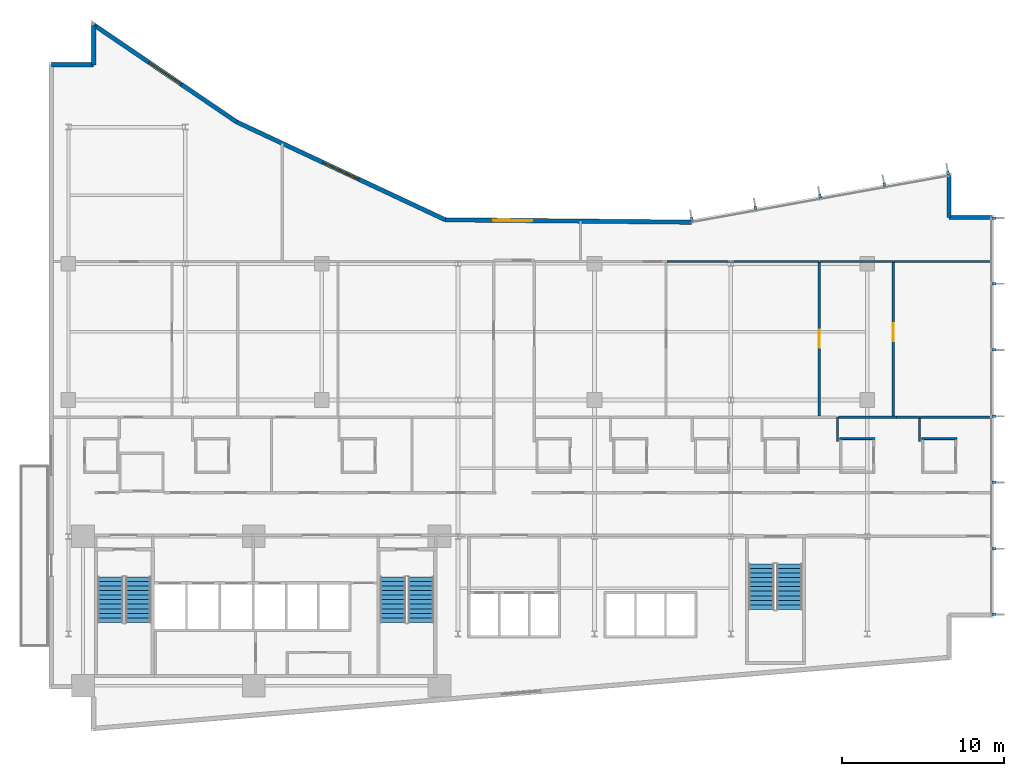
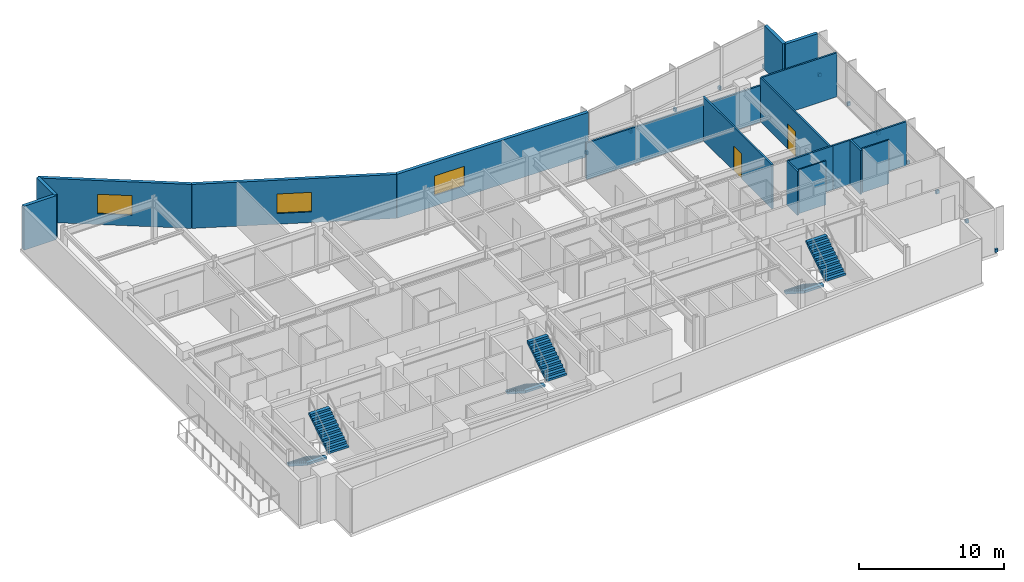
# One storey, part 16 of 20: 19 walls, 12 discrete accessories, 6 stair flights, 3 windows, 2 doors, 5 openings, 3 elements without a shape of their own.
"""IFC4 building model written with IfcOpenShell, lengths in metres."""

import ifcopenshell
import ifcopenshell.guid

model = None  # the IFC model being written
_history = None  # IfcOwnerHistory: only IFC2X3 demands one
_inside = {}  # id of a spatial element -> (the spatial element, [elements in it])
_under = {}  # id of a project, library or spatial element -> (it, [spatial elements below it])
_declared = {}  # id of a project -> (the project, [libraries it declares])
_typed = {}  # id of a type object -> (the type object, [elements of that type])
_made_of = {}  # id of a material, layer set ... -> (it, [elements and type objects made of it])


def new_model(schema):
    """Start an empty IFC model of exactly this schema.

    Asked for "IFC4X3", IfcOpenShell would pick the latest addendum, in which some entities
    have other attributes; the version numbers below select the first issue.
    IFC2X3 requires an IfcOwnerHistory on every rooted entity: one is made here for all.
    """
    global model, _history
    if schema == "IFC4X3":
        model = ifcopenshell.file(schema_version=(4, 3, 0, 0))
    else:
        model = ifcopenshell.file(schema=schema)
    _inside.clear()
    _under.clear()
    _declared.clear()
    _typed.clear()
    _made_of.clear()
    _history = None
    if model.schema == "IFC2X3":
        org = make("IfcOrganization", Name="unknown")
        user = make(
            "IfcPersonAndOrganization",
            ThePerson=make("IfcPerson", FamilyName="unknown"),
            TheOrganization=org,
        )
        app = make(
            "IfcApplication",
            ApplicationDeveloper=org,
            Version="unknown",
            ApplicationFullName="unknown",
            ApplicationIdentifier="unknown",
        )
        _history = make(
            "IfcOwnerHistory",
            OwningUser=user,
            OwningApplication=app,
            ChangeAction="ADDED",
            CreationDate=0,
        )
    return model


def make(cls, **values):
    """One entity of the class cls with the attributes given. An attribute that is None is left unset."""
    return model.create_entity(
        cls, **{name: value for name, value in values.items() if value is not None}
    )


def rooted(cls, **values):
    """An entity with a GlobalId (a new one), such as an element, a storey or a relation."""
    return make(cls, GlobalId=ifcopenshell.guid.new(), OwnerHistory=_history, **values)


def si_unit(unit_type, name, prefix=None):
    """IfcSIUnit, for example si_unit("LENGTHUNIT", "METRE", prefix="MILLI")."""
    return make("IfcSIUnit", UnitType=unit_type, Prefix=prefix, Name=name)


def assignment(units):
    """IfcUnitAssignment: the units of a project."""
    return None if units is None else make("IfcUnitAssignment", Units=units)


def point(xyz):
    """IfcCartesianPoint."""
    return None if xyz is None else make("IfcCartesianPoint", Coordinates=xyz)


def direction(xyz):
    """IfcDirection."""
    return None if xyz is None else make("IfcDirection", DirectionRatios=xyz)


def frame(location, z_axis=None, x_axis=None):
    """IfcAxis2Placement3D, a coordinate frame: its origin and axes. An axis left out is left unset."""
    return make(
        "IfcAxis2Placement3D",
        Location=point(location),
        Axis=direction(z_axis),
        RefDirection=direction(x_axis),
    )


def frame_2d(location, x_axis=None):
    """IfcAxis2Placement2D, a coordinate frame in the plane: its origin and x axis."""
    return make(
        "IfcAxis2Placement2D", Location=point(location), RefDirection=direction(x_axis)
    )


def origin():
    """The frame at (0, 0, 0) with its axes left unset."""
    return frame((0.0, 0.0, 0.0))


def origin_2d():
    """The frame at (0, 0) in the plane with its x axis left unset."""
    return frame_2d((0.0, 0.0))


def place(relative_to, where):
    """IfcLocalPlacement: puts the frame where relative to a parent placement (None: the world)."""
    return make(
        "IfcLocalPlacement", PlacementRelTo=relative_to, RelativePlacement=where
    )


def context(
    kind, dimensions, precision=None, world=None, true_north=None, identifier=None
):
    """IfcGeometricRepresentationContext, for example the 3D "Model" context."""
    return make(
        "IfcGeometricRepresentationContext",
        ContextIdentifier=identifier,
        ContextType=kind,
        CoordinateSpaceDimension=dimensions,
        Precision=precision,
        WorldCoordinateSystem=world,
        TrueNorth=true_north,
    )


def subcontext(parent, identifier, kind, view, scale=None):
    """IfcGeometricRepresentationSubContext, for example "Body" below "Model"."""
    return make(
        "IfcGeometricRepresentationSubContext",
        ContextIdentifier=identifier,
        ContextType=kind,
        ParentContext=parent,
        TargetScale=scale,
        TargetView=view,
    )


def project(units=None, contexts=None):
    """IfcProject with its units and contexts."""
    return rooted(
        "IfcProject",
        Name="project",
        RepresentationContexts=contexts,
        UnitsInContext=assignment(units),
    )


def spatial(cls, under=None, at=None, **own):
    """A site, building, storey or space (cls), placed at a placement, below another one or the project."""
    s = rooted(cls, ObjectPlacement=at, **own)
    if under is not None:
        _under.setdefault(under.id(), (under, []))[1].append(s)
    return s


def polyline(points):
    """IfcPolyline through the points."""
    return make("IfcPolyline", Points=[point(p) for p in points])


def profile(cls, at=None, kind="AREA", **sizes):
    """A parametric profile (cls). Its sizes go by their IFC names, for example OverallWidth=200.0."""
    return make(cls, ProfileType=kind, Position=at, **sizes)


def rectangle(**sizes):
    """IfcRectangleProfileDef."""
    return profile("IfcRectangleProfileDef", **sizes)


def outline(outer, holes=None, kind="AREA"):
    """IfcArbitraryClosedProfileDef: a profile drawn as a closed curve; with holes, ...WithVoids."""
    if holes is None:
        return make("IfcArbitraryClosedProfileDef", ProfileType=kind, OuterCurve=outer)
    return make(
        "IfcArbitraryProfileDefWithVoids",
        ProfileType=kind,
        OuterCurve=outer,
        InnerCurves=holes,
    )


def extrude(swept, where, along, depth):
    """IfcExtrudedAreaSolid: the profile swept, set in the frame where, extruded along a direction by depth."""
    return make(
        "IfcExtrudedAreaSolid",
        SweptArea=swept,
        Position=where,
        ExtrudedDirection=direction(along),
        Depth=depth,
    )


def shape(context_of_items, identifier, shape_type, items):
    """IfcShapeRepresentation: the items that make up one representation, for example the "Body"."""
    return make(
        "IfcShapeRepresentation",
        ContextOfItems=context_of_items,
        RepresentationIdentifier=identifier,
        RepresentationType=shape_type,
        Items=items,
    )


def material(Name=None, Category=None):
    """IfcMaterial."""
    return make("IfcMaterial", Name=Name, Category=Category)


def layer(
    of_material, thickness, ventilated=None, Name=None, Category=None, Priority=None
):
    """IfcMaterialLayer: one layer of a wall or slab, of a material (None: an air gap)."""
    return make(
        "IfcMaterialLayer",
        Material=of_material,
        LayerThickness=thickness,
        IsVentilated=ventilated,
        Name=Name,
        Category=Category,
        Priority=Priority,
    )


def layer_set(layers, Name=None):
    """IfcMaterialLayerSet."""
    return make("IfcMaterialLayerSet", MaterialLayers=layers, LayerSetName=Name)


def made_of(thing, what):
    """Note that an element or type object is made of a material, layer set ...; save() writes the relation."""
    if what is not None:
        _made_of.setdefault(what.id(), (what, []))[1].append(thing)
    return thing


def type_object(cls, material=None, **own):
    """A type object (cls), such as IfcWallType, which elements share."""
    return made_of(rooted(cls, **own), material)


def element(
    cls,
    number,
    at=None,
    inside=None,
    cuts=None,
    type_object=None,
    material=None,
    context=None,
    identifier="Body",
    shape_type=None,
    held_by="IfcProductDefinitionShape",
    body=None,
    shapes=None,
    **own,
):
    """One element of the class cls, such as IfcWall. Its Tag is "e" and its number.

    at: its placement. inside: the storey or other place that contains it. cuts: it is an
    opening in that element (IfcRelVoidsElement). A single representation is given by context,
    identifier, shape_type and body (its items); several are given by shapes. held_by: the class
    of the entity that holds the representations. save() writes the other relations.
    """
    e = rooted(cls, Tag="e%d" % number, ObjectPlacement=at, **own)
    if body is not None:
        shapes = [shape(context, identifier, shape_type, body)]
    if shapes is not None:
        e.Representation = make(held_by, Representations=shapes)
    if inside is not None:
        _inside.setdefault(inside.id(), (inside, []))[1].append(e)
    if cuts is not None:
        rooted(
            "IfcRelVoidsElement", RelatingBuildingElement=cuts, RelatedOpeningElement=e
        )
    if type_object is not None:
        _typed.setdefault(type_object.id(), (type_object, []))[1].append(e)
    return made_of(e, material)


def fill(opening, filler):
    """IfcRelFillsElement: the door or window that sits in an opening."""
    return rooted(
        "IfcRelFillsElement",
        RelatingOpeningElement=opening,
        RelatedBuildingElement=filler,
    )


def aggregate(whole, parts):
    """IfcRelAggregates: a whole, such as a stair, and the parts it consists of."""
    return rooted("IfcRelAggregates", RelatingObject=whole, RelatedObjects=parts)


def save(model, path):
    """Write the relations noted so far, then the file.

    IfcRelAggregates (storeys below a building ...), IfcRelContainedInSpatialStructure (elements
    in a storey), IfcRelDefinesByType, IfcRelAssociatesMaterial and IfcRelDeclares: one each for
    every whole, place, type object, material and project.
    """
    for whole, parts in _under.values():
        aggregate(whole, parts)
    for where, things in _inside.values():
        rooted(
            "IfcRelContainedInSpatialStructure",
            RelatedElements=things,
            RelatingStructure=where,
        )
    for kind, things in _typed.values():
        rooted("IfcRelDefinesByType", RelatedObjects=things, RelatingType=kind)
    for what, things in _made_of.values():
        rooted("IfcRelAssociatesMaterial", RelatedObjects=things, RelatingMaterial=what)
    for by, libraries in _declared.values():
        rooted("IfcRelDeclares", RelatingContext=by, RelatedDefinitions=libraries)
    model.write(path)


model = new_model("IFC4")

# Units and contexts
model_context = context("Model", 3, precision=1e-05, world=origin(), true_north=direction((0.0, 1.0)))
body_context = subcontext(model_context, "Body", "Model", "MODEL_VIEW")
ifc_project = project(units=[si_unit("LENGTHUNIT", "METRE"), si_unit("AREAUNIT", "SQUARE_METRE"), si_unit("VOLUMEUNIT", "CUBIC_METRE"), si_unit("PLANEANGLEUNIT", "RADIAN"), si_unit("MASSUNIT", "GRAM", prefix="KILO")], contexts=[model_context])

# Site, building, storey
site_placement = place(None, origin())
site = spatial("IfcSite", under=ifc_project, at=site_placement, CompositionType="ELEMENT")
building_placement = place(site_placement, origin())
building = spatial("IfcBuilding", under=site, at=building_placement, Name="Varnakote Quay Hospital", CompositionType="ELEMENT")
storey_placement = place(building_placement, frame((0.0, 0.0, 58.050048828125)))
storey = spatial("IfcBuildingStorey", under=building, at=storey_placement, Name="L14", CompositionType="ELEMENT", Elevation=58.050048828125)

# Walls
ifc_material_1 = material(Name="Moisture-resistant bathroom partition", Category="gypsum")
ifc_layer_1 = layer(ifc_material_1, 0.114990234375)
ifc_layer_set_1 = layer_set([ifc_layer_1], Name="Moisture-resistant bathroom partition")
wall_type_1 = type_object("IfcWallType", Name="WL-ENS-115", PredefinedType="PARTITIONING", material=ifc_layer_set_1)
wall_1_placement = place(storey_placement, frame((48.715087890625, 18.017578125, 0.0), z_axis=(0.0, 0.0, 1.0), x_axis=(1.0, 0.0, 0.0)))
element("IfcWall", 1, at=wall_1_placement, inside=storey, type_object=wall_type_1, Name="L14 Inpatient En-Suite Bathroom 08 N Wall", PredefinedType="PARTITIONING", context=body_context, shape_type="SweptSolid", body=[
    extrude(rectangle(XDim=2.14990234375, YDim=0.114990234375, at=frame_2d((1.074951171875, 0.0))), origin(), (0.0, 0.0, 1.0), 3.7099609375),
])
wall_2_placement = place(storey_placement, frame((53.7548828125, 18.017578125, 0.0), z_axis=(0.0, 0.0, 1.0), x_axis=(1.0, 0.0, 0.0)))
element("IfcWall", 2, at=wall_2_placement, inside=storey, type_object=wall_type_1, Name="L14 Inpatient En-Suite Bathroom 09 N Wall", PredefinedType="PARTITIONING", context=body_context, shape_type="SweptSolid", body=[
    extrude(rectangle(XDim=2.150146484375, YDim=0.114990234375, at=frame_2d((1.0751953125, 0.0))), origin(), (0.0, 0.0, 1.0), 3.7099609375),
])
ifc_material_2 = material(Name="Precast concrete N50 (f'c 50 MPa)", Category="concrete")
ifc_layer_2 = layer(ifc_material_2, 0.260009765625)
ifc_layer_set_2 = layer_set([ifc_layer_2], Name="Precast concrete N50 (f'c 50 MPa)")
wall_type_2 = type_object("IfcWallType", Name="WL-EXT-BRICK-260", PredefinedType="STANDARD", material=ifc_layer_set_2)
wall_3_placement = place(storey_placement, frame((58.0400390625, 31.639892578125, 0.0), z_axis=(0.0, 0.0, 1.0), x_axis=(-1.0, 0.0, 0.0)))
element("IfcWall", 3, at=wall_3_placement, inside=storey, type_object=wall_type_2, Name="L14 Brick-Faced Precast Exterior Wall", PredefinedType="STANDARD", context=body_context, shape_type="SweptSolid", body=[
    extrude(rectangle(XDim=2.60009765625, YDim=0.260009765625, at=frame_2d((1.300048828125, 0.0))), origin(), (0.0, 0.0, 1.0), 3.7099609375),
])
wall_4_placement = place(storey_placement, frame((55.43994140625, 31.639892578125, 0.0), z_axis=(0.0, 0.0, 1.0), x_axis=(0.0, 1.0, 0.0)))
element("IfcWall", 4, at=wall_4_placement, inside=storey, type_object=wall_type_2, Name="L14 Brick-Faced Precast Exterior Wall", PredefinedType="STANDARD", context=body_context, shape_type="SweptSolid", body=[
    extrude(rectangle(XDim=2.568603515625, YDim=0.260009765625, at=frame_2d((1.2841796875, 0.0))), origin(), (0.0, 0.0, 1.0), 3.7099609375),
])

# Wall, opening, window
wall_5_placement = place(storey_placement, frame((39.589599609375, 31.343994140625, 0.0), z_axis=(0.0, 0.0, 1.0), x_axis=(-0.999952362926, 0.009760731435, 0.0)))
wall_5 = element("IfcWall", 5, at=wall_5_placement, inside=storey, type_object=wall_type_2, Name="L14 Brick-Faced Precast Exterior Wall", PredefinedType="STANDARD", context=body_context, shape_type="SweptSolid", body=[
    extrude(rectangle(XDim=15.1826171875, YDim=0.260009765625, at=frame_2d((7.59130859375, 0.0))), origin(), (0.0, 0.0, 1.0), 3.7099609375),
])
opening_1_placement = place(wall_5_placement, frame((9.831298828125, 0.0, 0.89990234375)))
opening_1 = element("IfcOpeningElement", 6, at=opening_1_placement, cuts=wall_5, Name="Opening WN-0071", PredefinedType="OPENING", context=body_context, shape_type="SweptSolid", body=[
    extrude(rectangle(XDim=2.39990234375, YDim=1.64990234375, at=frame_2d((1.199951171875, 0.824951171875))), frame((0.0, 0.139892578125, 0.0), z_axis=(0.0, -1.0, 0.0), x_axis=(1.0, 0.0, 0.0)), (0.0, 0.0, 1.0), 0.280029296875),
])
ifc_material_3 = material(Name="Double-glazed low-E solar glass", Category="glass")
window_type = type_object("IfcWindowType", Name="WIN-CLIN-2400x1650", PartitioningType="SINGLE_PANEL", PredefinedType="WINDOW", material=ifc_material_3)
window_1_placement = place(opening_1_placement, origin())
window_1 = element("IfcWindow", 7, at=window_1_placement, inside=storey, type_object=window_type, Name="L14 Solar-Control Clinical Window", OverallHeight=1.64990234375, OverallWidth=2.39990234375, PartitioningType="SINGLE_PANEL", PredefinedType="WINDOW", context=body_context, shape_type="SweptSolid", body=[
    extrude(rectangle(XDim=2.39990234375, YDim=1.64990234375, at=frame_2d((1.199951171875, 0.824951171875))), frame((0.0, 0.030029296875, 0.0), z_axis=(0.0, -1.0, 0.0), x_axis=(1.0, 0.0, 0.0)), (0.0, 0.0, 1.0), 0.06005859375),
])
fill(opening_1, window_1)

wall_6_placement = place(storey_placement, frame((24.40771484375, 31.4921875, 0.0), z_axis=(0.0, 0.0, 1.0), x_axis=(-0.905396522918, 0.424566998585, 0.0)))
wall_6 = element("IfcWall", 8, at=wall_6_placement, inside=storey, type_object=wall_type_2, Name="L14 Brick-Faced Precast Exterior Wall", PredefinedType="STANDARD", context=body_context, shape_type="SweptSolid", body=[
    extrude(rectangle(XDim=14.189453125, YDim=0.260009765625, at=frame_2d((7.0947265625, 0.0))), origin(), (0.0, 0.0, 1.0), 3.7099609375),
])
opening_2_placement = place(wall_6_placement, frame((5.894775390625, 0.0, 0.89990234375)))
opening_2 = element("IfcOpeningElement", 9, at=opening_2_placement, cuts=wall_6, Name="Opening WN-0072", PredefinedType="OPENING", context=body_context, shape_type="SweptSolid", body=[
    extrude(rectangle(XDim=2.39990234375, YDim=1.64990234375, at=frame_2d((1.199951171875, 0.824951171875))), frame((0.0, 0.139892578125, 0.0), z_axis=(0.0, -1.0, 0.0), x_axis=(1.0, 0.0, 0.0)), (0.0, 0.0, 1.0), 0.280029296875),
])
window_2_placement = place(opening_2_placement, origin())
window_2 = element("IfcWindow", 10, at=window_2_placement, inside=storey, type_object=window_type, Name="L14 Solar-Control Clinical Window", OverallHeight=1.64990234375, OverallWidth=2.39990234375, PartitioningType="SINGLE_PANEL", PredefinedType="WINDOW", context=body_context, shape_type="SweptSolid", body=[
    extrude(rectangle(XDim=2.39990234375, YDim=1.64990234375, at=frame_2d((1.199951171875, 0.824951171875))), frame((0.0, 0.030029296875, 0.0), z_axis=(0.0, -1.0, 0.0), x_axis=(1.0, 0.0, 0.0)), (0.0, 0.0, 1.0), 0.06005859375),
])
fill(opening_2, window_2)

wall_7_placement = place(storey_placement, frame((11.560546875, 37.5166015625, 0.0), z_axis=(0.0, 0.0, 1.0), x_axis=(-0.827064743936, 0.562106670782, 0.0)))
wall_7 = element("IfcWall", 11, at=wall_7_placement, inside=storey, type_object=wall_type_2, Name="L14 Brick-Faced Precast Exterior Wall", PredefinedType="STANDARD", context=body_context, shape_type="SweptSolid", body=[
    extrude(rectangle(XDim=10.640625, YDim=0.260009765625, at=frame_2d((5.3203125, 0.0))), origin(), (0.0, 0.0, 1.0), 3.7099609375),
])
opening_3_placement = place(wall_7_placement, frame((4.120361328125, 0.0, 0.89990234375)))
opening_3 = element("IfcOpeningElement", 12, at=opening_3_placement, cuts=wall_7, Name="Opening WN-0073", PredefinedType="OPENING", context=body_context, shape_type="SweptSolid", body=[
    extrude(rectangle(XDim=2.39990234375, YDim=1.64990234375, at=frame_2d((1.199951171875, 0.824951171875))), frame((0.0, 0.139892578125, 0.0), z_axis=(0.0, -1.0, 0.0), x_axis=(1.0, 0.0, 0.0)), (0.0, 0.0, 1.0), 0.280029296875),
])
window_3_placement = place(opening_3_placement, origin())
window_3 = element("IfcWindow", 13, at=window_3_placement, inside=storey, type_object=window_type, Name="L14 Solar-Control Clinical Window", OverallHeight=1.64990234375, OverallWidth=2.39990234375, PartitioningType="SINGLE_PANEL", PredefinedType="WINDOW", context=body_context, shape_type="SweptSolid", body=[
    extrude(rectangle(XDim=2.39990234375, YDim=1.64990234375, at=frame_2d((1.199951171875, 0.824951171875))), frame((0.0, 0.030029296875, 0.0), z_axis=(0.0, -1.0, 0.0), x_axis=(1.0, 0.0, 0.0)), (0.0, 0.0, 1.0), 0.06005859375),
])
fill(opening_3, window_3)

# Walls
wall_8_placement = place(storey_placement, frame((2.760009765625, 43.497802734375, 0.0), z_axis=(0.0, 0.0, 1.0), x_axis=(0.0, -1.0, 0.0)))
element("IfcWall", 14, at=wall_8_placement, inside=storey, type_object=wall_type_2, Name="L14 Brick-Faced Precast Exterior Wall", PredefinedType="STANDARD", context=body_context, shape_type="SweptSolid", body=[
    extrude(rectangle(XDim=2.457763671875, YDim=0.260009765625, at=frame_2d((1.22900390625, 0.0))), origin(), (0.0, 0.0, 1.0), 3.7099609375),
])
wall_9_placement = place(storey_placement, frame((2.760009765625, 41.0400390625, 0.0), z_axis=(0.0, 0.0, 1.0), x_axis=(-1.0, 0.0, 0.0)))
element("IfcWall", 15, at=wall_9_placement, inside=storey, type_object=wall_type_2, Name="L14 Brick-Faced Precast Exterior Wall", PredefinedType="STANDARD", context=body_context, shape_type="SweptSolid", body=[
    extrude(rectangle(XDim=2.60009765625, YDim=0.260009765625, at=frame_2d((1.300048828125, 0.0))), origin(), (0.0, 0.0, 1.0), 3.7099609375),
])
ifc_material_4 = material(Name="Smoke-proof clinical partition", Category="gypsum")
ifc_layer_3 = layer(ifc_material_4, 0.135009765625)
ifc_layer_set_3 = layer_set([ifc_layer_3], Name="Smoke-proof clinical partition")
wall_type_3 = type_object("IfcWallType", Name="WL-SMOKE-135", PredefinedType="PARTITIONING", material=ifc_layer_set_3)
for number, where, z_axis, x_axis, name in (
    (16, (48.570068359375, 17.83251953125, 0.0), (0.0, 0.0, 1.0), (0.0, 1.0, 0.0), "L14 Clinical Interior Partition"),
    (17, (53.610107421875, 17.83251953125, 0.0), (0.0, 0.0, 1.0), (0.0, 1.0, 0.0), "L14 Clinical Interior Partition"),
):
    element("IfcWall", number, at=place(storey_placement, frame(where, z_axis=z_axis, x_axis=x_axis)), inside=storey, type_object=wall_type_3, Name=name, PredefinedType="PARTITIONING", context=body_context, shape_type="SweptSolid", body=[
        extrude(rectangle(XDim=1.507568359375, YDim=0.135009765625, at=frame_2d((0.75390625, 0.0))), origin(), (0.0, 0.0, 1.0), 3.7099609375),
    ])
wall_10_placement = place(storey_placement, frame((52.194580078125, 19.340087890625, 0.0), z_axis=(0.0, 0.0, 1.0), x_axis=(-1.0, 0.0, 0.0)))
element("IfcWall", 18, at=wall_10_placement, inside=storey, type_object=wall_type_3, Name="L14 Clinical Interior Partition", PredefinedType="PARTITIONING", context=body_context, shape_type="SweptSolid", body=[
    extrude(rectangle(XDim=3.567138671875, YDim=0.135009765625, at=frame_2d((1.78369140625, 0.0))), origin(), (0.0, 0.0, 1.0), 3.7099609375),
])
wall_11_placement = place(storey_placement, frame((53.610107421875, 19.340087890625, 0.0), z_axis=(0.0, 0.0, 1.0), x_axis=(-1.0, 0.0, 0.0)))
element("IfcWall", 19, at=wall_11_placement, inside=storey, type_object=wall_type_3, Name="L14 Clinical Interior Partition", PredefinedType="PARTITIONING", context=body_context, shape_type="SweptSolid", body=[
    extrude(rectangle(XDim=1.41357421875, YDim=0.135009765625, at=frame_2d((0.706787109375, 0.0))), origin(), (0.0, 0.0, 1.0), 3.7099609375),
])
wall_12_placement = place(storey_placement, frame((58.0400390625, 19.340087890625, 0.0), z_axis=(0.0, 0.0, 1.0), x_axis=(-1.0, 0.0, 0.0)))
element("IfcWall", 20, at=wall_12_placement, inside=storey, type_object=wall_type_3, Name="L14 Clinical Interior Partition", PredefinedType="PARTITIONING", context=body_context, shape_type="SweptSolid", body=[
    extrude(rectangle(XDim=4.37255859375, YDim=0.135009765625, at=frame_2d((2.186279296875, 0.0))), origin(), (0.0, 0.0, 1.0), 3.7099609375),
])

# Wall, opening, door
wall_13_placement = place(storey_placement, frame((47.43994140625, 19.3974609375, 0.0), z_axis=(0.0, 0.0, 1.0), x_axis=(0.0, 1.0, 0.0)))
wall_13 = element("IfcWall", 21, at=wall_13_placement, inside=storey, type_object=wall_type_3, Name="L14 Clinical Interior Partition", PredefinedType="PARTITIONING", context=body_context, shape_type="SweptSolid", body=[
    extrude(rectangle(XDim=9.5224609375, YDim=0.135009765625, at=frame_2d((4.76123046875, 0.0))), origin(), (0.0, 0.0, 1.0), 3.7099609375),
])
opening_4_placement = place(wall_13_placement, frame((4.211181640625, 0.0, 0.0)))
opening_4 = element("IfcOpeningElement", 22, at=opening_4_placement, cuts=wall_13, Name="Opening D-L14-MD08", PredefinedType="OPENING", context=body_context, shape_type="SweptSolid", body=[
    extrude(rectangle(XDim=1.10009765625, YDim=2.10009765625, at=frame_2d((0.550048828125, 1.050048828125))), frame((0.0, 0.077392578125, 0.0), z_axis=(0.0, -1.0, 0.0), x_axis=(1.0, 0.0, 0.0)), (0.0, 0.0, 1.0), 0.155029296875),
])
ifc_material_5 = material(Name="Acoustic timber clinical consult door", Category="wood")
door_type = type_object("IfcDoorType", Name="DR-CLIN-FD30S-1100x2100", OperationType="NOTDEFINED", PredefinedType="DOOR", material=ifc_material_5)
door_1_placement = place(opening_4_placement, origin())
door_1 = element("IfcDoor", 23, at=door_1_placement, inside=storey, type_object=door_type, Name="L14 Clinical Education Teaching Room Door", OperationType="SINGLE_SWING_RIGHT", OverallHeight=2.10009765625, OverallWidth=1.10009765625, PredefinedType="DOOR", context=body_context, shape_type="SweptSolid", body=[
    extrude(rectangle(XDim=1.10009765625, YDim=2.10009765625, at=frame_2d((0.550048828125, 1.050048828125))), frame((0.0, 0.02490234375, 0.0), z_axis=(0.0, -1.0, 0.0), x_axis=(1.0, 0.0, 0.0)), (0.0, 0.0, 1.0), 0.050048828125),
])
fill(opening_4, door_1)

# Wall
wall_14_placement = place(storey_placement, frame((47.43994140625, 28.919921875, 0.0), z_axis=(0.0, 0.0, 1.0), x_axis=(-1.0, 0.0, 0.0)))
element("IfcWall", 24, at=wall_14_placement, inside=storey, type_object=wall_type_3, Name="L14 Clinical Interior Partition", PredefinedType="PARTITIONING", context=body_context, shape_type="SweptSolid", body=[
    extrude(rectangle(XDim=9.37255859375, YDim=0.135009765625, at=frame_2d((4.686279296875, 0.0))), origin(), (0.0, 0.0, 1.0), 3.072998046875),
])

# Wall, opening, door
wall_15_placement = place(storey_placement, frame((52.0, 19.3974609375, 0.0), z_axis=(0.0, 0.0, 1.0), x_axis=(0.0, 1.0, 0.0)))
wall_15 = element("IfcWall", 25, at=wall_15_placement, inside=storey, type_object=wall_type_3, Name="L14 Clinical Interior Partition", PredefinedType="PARTITIONING", context=body_context, shape_type="SweptSolid", body=[
    extrude(rectangle(XDim=9.5224609375, YDim=0.135009765625, at=frame_2d((4.76123046875, 0.0))), origin(), (0.0, 0.0, 1.0), 3.7099609375),
])
opening_5_placement = place(wall_15_placement, frame((4.6123046875, 0.0, 0.0)))
opening_5 = element("IfcOpeningElement", 26, at=opening_5_placement, cuts=wall_15, Name="Opening D-L14-MD09", PredefinedType="OPENING", context=body_context, shape_type="SweptSolid", body=[
    extrude(rectangle(XDim=1.10009765625, YDim=2.10009765625, at=frame_2d((0.550048828125, 1.050048828125))), frame((0.0, 0.077392578125, 0.0), z_axis=(0.0, -1.0, 0.0), x_axis=(1.0, 0.0, 0.0)), (0.0, 0.0, 1.0), 0.155029296875),
])
door_2_placement = place(opening_5_placement, origin())
door_2 = element("IfcDoor", 27, at=door_2_placement, inside=storey, type_object=door_type, Name="L14 Multidisciplinary Clinical Consultation Suite Door", OperationType="SINGLE_SWING_LEFT", OverallHeight=2.10009765625, OverallWidth=1.10009765625, PredefinedType="DOOR", context=body_context, shape_type="SweptSolid", body=[
    extrude(rectangle(XDim=1.10009765625, YDim=2.10009765625, at=frame_2d((0.550048828125, 1.050048828125))), frame((0.0, 0.02490234375, 0.0), z_axis=(0.0, -1.0, 0.0), x_axis=(1.0, 0.0, 0.0)), (0.0, 0.0, 1.0), 0.050048828125),
])
fill(opening_5, door_2)

# Walls
wall_16_placement = place(storey_placement, frame((52.0, 28.919921875, 0.0), z_axis=(0.0, 0.0, 1.0), x_axis=(-1.0, 0.0, 0.0)))
element("IfcWall", 28, at=wall_16_placement, inside=storey, type_object=wall_type_3, Name="L14 Clinical Interior Partition", PredefinedType="PARTITIONING", context=body_context, shape_type="SweptSolid", body=[
    extrude(rectangle(XDim=4.50244140625, YDim=0.135009765625, at=frame_2d((2.251220703125, 0.0))), origin(), (0.0, 0.0, 1.0), 3.072998046875),
])
wall_17_placement = place(storey_placement, frame((58.0400390625, 28.919921875, 0.0), z_axis=(0.0, 0.0, 1.0), x_axis=(-1.0, 0.0, 0.0)))
element("IfcWall", 29, at=wall_17_placement, inside=storey, type_object=wall_type_3, Name="L14 Clinical Interior Partition", PredefinedType="PARTITIONING", context=body_context, shape_type="SweptSolid", body=[
    extrude(rectangle(XDim=5.982421875, YDim=0.135009765625, at=frame_2d((2.9912109375, 0.0))), origin(), (0.0, 0.0, 1.0), 3.7099609375),
])

# Stair, stair flights
ifc_material_6 = material(Name="Concrete N40 (f'c 40 MPa)", Category="concrete")
stair_type = type_object("IfcStairType", Name="STR-CORE-1580", PredefinedType="HALF_TURN_STAIR", material=ifc_material_6)
stair_1_placement = place(storey_placement, origin())
stair_1 = element("IfcStair", 30, at=stair_1_placement, inside=storey, type_object=stair_type, Name="L14 Fire-Isolated Exit Stair ST-01", PredefinedType="HALF_TURN_STAIR")
ifc_material_7 = material(Name="Concrete N40 (f'c 40 MPa)", Category="concrete")
ifc_layer_4 = layer(ifc_material_7, 0.159912109375)
ifc_layer_set_4 = layer_set([ifc_layer_4], Name="Concrete N40 (f'c 40 MPa)")
stair_flight_type = type_object("IfcStairFlightType", Name="FLT-CORE-1580", PredefinedType="STRAIGHT", material=ifc_layer_set_4)
stair_flight_1_placement = place(storey_placement, frame((3.7900390625, 9.5, 0.0), z_axis=(0.0, 0.0, 1.0), x_axis=(0.0, -1.0, 0.0)))
stair_flight_1 = element("IfcStairFlight", 31, at=stair_flight_1_placement, type_object=stair_flight_type, Name="ST-01 flight 1", NumberOfRisers=11, NumberOfTreads=10, PredefinedType="STRAIGHT", RiserHeight=0.179545455, TreadLength=0.28, context=body_context, shape_type="SweptSolid", body=[
    extrude(outline(polyline([(0.0, 0.0), (0.0, 0.179443359375), (0.280029296875, 0.179443359375), (0.280029296875, 0.359130859375), (0.56005859375, 0.359130859375), (0.56005859375, 0.53857421875), (0.840087890625, 0.53857421875), (0.840087890625, 0.71826171875), (1.1201171875, 0.71826171875), (1.1201171875, 0.897705078125), (1.39990234375, 0.897705078125), (1.39990234375, 1.077392578125), (1.679931640625, 1.077392578125), (1.679931640625, 1.2568359375), (1.9599609375, 1.2568359375), (1.9599609375, 1.436279296875), (2.239990234375, 1.436279296875), (2.239990234375, 1.615966796875), (2.52001953125, 1.615966796875), (2.52001953125, 1.79541015625), (2.800048828125, 1.79541015625), (2.800048828125, 1.97509765625), (2.800048828125, 1.60546875), (0.296142578125, 0.0), (0.0, 0.0)])), frame((0.0, 0.7900390625, 0.0), z_axis=(0.0, -1.0, 0.0), x_axis=(1.0, 0.0, 0.0)), (0.0, 0.0, 1.0), 1.580078125),
])
stair_flight_2_placement = place(storey_placement, frame((5.510009765625, 6.699951171875, 1.974853515625), z_axis=(0.0, 0.0, 1.0), x_axis=(0.0, 1.0, 0.0)))
stair_flight_2 = element("IfcStairFlight", 32, at=stair_flight_2_placement, type_object=stair_flight_type, Name="ST-01 flight 2", NumberOfRisers=11, NumberOfTreads=10, PredefinedType="STRAIGHT", RiserHeight=0.179545455, TreadLength=0.28, context=body_context, shape_type="SweptSolid", body=[
    extrude(outline(polyline([(0.0, 0.0), (0.0, 0.179443359375), (0.280029296875, 0.179443359375), (0.280029296875, 0.359130859375), (0.56005859375, 0.359130859375), (0.56005859375, 0.53857421875), (0.840087890625, 0.53857421875), (0.840087890625, 0.71826171875), (1.1201171875, 0.71826171875), (1.1201171875, 0.897705078125), (1.39990234375, 0.897705078125), (1.39990234375, 1.077392578125), (1.679931640625, 1.077392578125), (1.679931640625, 1.2568359375), (1.9599609375, 1.2568359375), (1.9599609375, 1.436279296875), (2.239990234375, 1.436279296875), (2.239990234375, 1.615966796875), (2.52001953125, 1.615966796875), (2.52001953125, 1.79541015625), (2.800048828125, 1.79541015625), (2.800048828125, 1.97509765625), (2.800048828125, 1.60546875), (0.296142578125, 0.0), (0.0, 0.0)])), frame((0.0, 0.7900390625, 0.0), z_axis=(0.0, -1.0, 0.0), x_axis=(1.0, 0.0, 0.0)), (0.0, 0.0, 1.0), 1.580078125),
])
aggregate(stair_1, [stair_flight_1, stair_flight_2])

stair_2_placement = place(storey_placement, origin())
stair_2 = element("IfcStair", 33, at=stair_2_placement, inside=storey, type_object=stair_type, Name="L14 Fire-Isolated Exit Stair ST-02", PredefinedType="HALF_TURN_STAIR")
stair_flight_3_placement = place(storey_placement, frame((21.18994140625, 9.5, 0.0), z_axis=(0.0, 0.0, 1.0), x_axis=(0.0, -1.0, 0.0)))
stair_flight_3 = element("IfcStairFlight", 34, at=stair_flight_3_placement, type_object=stair_flight_type, Name="ST-02 flight 1", NumberOfRisers=11, NumberOfTreads=10, PredefinedType="STRAIGHT", RiserHeight=0.179545455, TreadLength=0.28, context=body_context, shape_type="SweptSolid", body=[
    extrude(outline(polyline([(0.0, 0.0), (0.0, 0.179443359375), (0.280029296875, 0.179443359375), (0.280029296875, 0.359130859375), (0.56005859375, 0.359130859375), (0.56005859375, 0.53857421875), (0.840087890625, 0.53857421875), (0.840087890625, 0.71826171875), (1.1201171875, 0.71826171875), (1.1201171875, 0.897705078125), (1.39990234375, 0.897705078125), (1.39990234375, 1.077392578125), (1.679931640625, 1.077392578125), (1.679931640625, 1.2568359375), (1.9599609375, 1.2568359375), (1.9599609375, 1.436279296875), (2.239990234375, 1.436279296875), (2.239990234375, 1.615966796875), (2.52001953125, 1.615966796875), (2.52001953125, 1.79541015625), (2.800048828125, 1.79541015625), (2.800048828125, 1.97509765625), (2.800048828125, 1.60546875), (0.296142578125, 0.0), (0.0, 0.0)])), frame((0.0, 0.7900390625, 0.0), z_axis=(0.0, -1.0, 0.0), x_axis=(1.0, 0.0, 0.0)), (0.0, 0.0, 1.0), 1.580078125),
])
stair_flight_4_placement = place(storey_placement, frame((22.909912109375, 6.699951171875, 1.974853515625), z_axis=(0.0, 0.0, 1.0), x_axis=(0.0, 1.0, 0.0)))
stair_flight_4 = element("IfcStairFlight", 35, at=stair_flight_4_placement, type_object=stair_flight_type, Name="ST-02 flight 2", NumberOfRisers=11, NumberOfTreads=10, PredefinedType="STRAIGHT", RiserHeight=0.179545455, TreadLength=0.28, context=body_context, shape_type="SweptSolid", body=[
    extrude(outline(polyline([(0.0, 0.0), (0.0, 0.179443359375), (0.280029296875, 0.179443359375), (0.280029296875, 0.359130859375), (0.56005859375, 0.359130859375), (0.56005859375, 0.53857421875), (0.840087890625, 0.53857421875), (0.840087890625, 0.71826171875), (1.1201171875, 0.71826171875), (1.1201171875, 0.897705078125), (1.39990234375, 0.897705078125), (1.39990234375, 1.077392578125), (1.679931640625, 1.077392578125), (1.679931640625, 1.2568359375), (1.9599609375, 1.2568359375), (1.9599609375, 1.436279296875), (2.239990234375, 1.436279296875), (2.239990234375, 1.615966796875), (2.52001953125, 1.615966796875), (2.52001953125, 1.79541015625), (2.800048828125, 1.79541015625), (2.800048828125, 1.97509765625), (2.800048828125, 1.60546875), (0.296142578125, 0.0), (0.0, 0.0)])), frame((0.0, 0.7900390625, 0.0), z_axis=(0.0, -1.0, 0.0), x_axis=(1.0, 0.0, 0.0)), (0.0, 0.0, 1.0), 1.580078125),
])
aggregate(stair_2, [stair_flight_3, stair_flight_4])

stair_3_placement = place(storey_placement, origin())
stair_3 = element("IfcStair", 36, at=stair_3_placement, inside=storey, type_object=stair_type, Name="L14 Fire-Isolated Exit Stair ST-03", PredefinedType="HALF_TURN_STAIR")
stair_flight_5_placement = place(storey_placement, frame((43.889892578125, 10.300048828125, 0.0), z_axis=(0.0, 0.0, 1.0), x_axis=(0.0, -1.0, 0.0)))
stair_flight_5 = element("IfcStairFlight", 37, at=stair_flight_5_placement, type_object=stair_flight_type, Name="ST-03 flight 1", NumberOfRisers=11, NumberOfTreads=10, PredefinedType="STRAIGHT", RiserHeight=0.179545455, TreadLength=0.28, context=body_context, shape_type="SweptSolid", body=[
    extrude(outline(polyline([(0.0, 0.0), (0.0, 0.179443359375), (0.280029296875, 0.179443359375), (0.280029296875, 0.359130859375), (0.56005859375, 0.359130859375), (0.56005859375, 0.53857421875), (0.840087890625, 0.53857421875), (0.840087890625, 0.71826171875), (1.1201171875, 0.71826171875), (1.1201171875, 0.897705078125), (1.39990234375, 0.897705078125), (1.39990234375, 1.077392578125), (1.679931640625, 1.077392578125), (1.679931640625, 1.2568359375), (1.9599609375, 1.2568359375), (1.9599609375, 1.436279296875), (2.239990234375, 1.436279296875), (2.239990234375, 1.615966796875), (2.52001953125, 1.615966796875), (2.52001953125, 1.79541015625), (2.800048828125, 1.79541015625), (2.800048828125, 1.97509765625), (2.800048828125, 1.60546875), (0.296142578125, 0.0), (0.0, 0.0)])), frame((0.0, 0.7900390625, 0.0), z_axis=(0.0, -1.0, 0.0), x_axis=(1.0, 0.0, 0.0)), (0.0, 0.0, 1.0), 1.580078125),
])
stair_flight_6_placement = place(storey_placement, frame((45.610107421875, 7.5, 1.974853515625), z_axis=(0.0, 0.0, 1.0), x_axis=(0.0, 1.0, 0.0)))
stair_flight_6 = element("IfcStairFlight", 38, at=stair_flight_6_placement, type_object=stair_flight_type, Name="ST-03 flight 2", NumberOfRisers=11, NumberOfTreads=10, PredefinedType="STRAIGHT", RiserHeight=0.179545455, TreadLength=0.28, context=body_context, shape_type="SweptSolid", body=[
    extrude(outline(polyline([(0.0, 0.0), (0.0, 0.179443359375), (0.280029296875, 0.179443359375), (0.280029296875, 0.359130859375), (0.56005859375, 0.359130859375), (0.56005859375, 0.53857421875), (0.840087890625, 0.53857421875), (0.840087890625, 0.71826171875), (1.1201171875, 0.71826171875), (1.1201171875, 0.897705078125), (1.39990234375, 0.897705078125), (1.39990234375, 1.077392578125), (1.679931640625, 1.077392578125), (1.679931640625, 1.2568359375), (1.9599609375, 1.2568359375), (1.9599609375, 1.436279296875), (2.239990234375, 1.436279296875), (2.239990234375, 1.615966796875), (2.52001953125, 1.615966796875), (2.52001953125, 1.79541015625), (2.800048828125, 1.79541015625), (2.800048828125, 1.97509765625), (2.800048828125, 1.60546875), (0.296142578125, 0.0), (0.0, 0.0)])), frame((0.0, 0.7900390625, 0.0), z_axis=(0.0, -1.0, 0.0), x_axis=(1.0, 0.0, 0.0)), (0.0, 0.0, 1.0), 1.580078125),
])
aggregate(stair_3, [stair_flight_5, stair_flight_6])

# Discrete accessories
ifc_material_8 = material(Name="Anodised aluminium 6063-T6 Bronze", Category="aluminium")
discrete_accessory_type = type_object("IfcDiscreteAccessoryType", Name="ACC-FIN-BRACKET-180", PredefinedType="BRACKET", material=ifc_material_8)
for number, where, z_axis, x_axis, name in (
    (39, (58.2099609375, 7.197509765625, 0.0), (0.0, 0.0, 1.0), (0.0, 1.0, 0.0), "L14 Curtain Wall Fin Fixing Bracket"),
    (40, (58.2099609375, 11.239990234375, 0.0), (0.0, 0.0, 1.0), (0.0, 1.0, 0.0), "L14 Curtain Wall Fin Fixing Bracket"),
    (41, (58.2099609375, 15.320068359375, 0.0), (0.0, 0.0, 1.0), (0.0, 1.0, 0.0), "L14 Curtain Wall Fin Fixing Bracket"),
    (42, (58.2099609375, 19.39990234375, 0.0), (0.0, 0.0, 1.0), (0.0, 1.0, 0.0), "L14 Curtain Wall Fin Fixing Bracket"),
    (43, (58.2099609375, 23.47998046875, 0.0), (0.0, 0.0, 1.0), (0.0, 1.0, 0.0), "L14 Curtain Wall Fin Fixing Bracket"),
    (44, (58.2099609375, 27.56005859375, 0.0), (0.0, 0.0, 1.0), (0.0, 1.0, 0.0), "L14 Curtain Wall Fin Fixing Bracket"),
    (45, (58.2099609375, 31.6025390625, 0.0), (0.0, 0.0, 1.0), (0.0, 1.0, 0.0), "L14 Curtain Wall Fin Fixing Bracket"),
    (46, (55.372802734375, 34.369140625, 0.0), (0.0, 0.0, 1.0), (-0.984071739666, -0.177771795263, 0.0), "L14 Curtain Wall Fin Fixing Bracket"),
    (47, (51.447265625, 33.65966796875, 0.0), (0.0, 0.0, 1.0), (-0.984071739666, -0.177771795263, 0.0), "L14 Curtain Wall Fin Fixing Bracket"),
    (48, (47.484619140625, 32.943603515625, 0.0), (0.0, 0.0, 1.0), (-0.984071739666, -0.177771795263, 0.0), "L14 Curtain Wall Fin Fixing Bracket"),
    (49, (43.52197265625, 32.227294921875, 0.0), (0.0, 0.0, 1.0), (-0.984071739666, -0.177771795263, 0.0), "L14 Curtain Wall Fin Fixing Bracket"),
    (50, (39.59619140625, 31.517822265625, 0.0), (0.0, 0.0, 1.0), (-0.984071739666, -0.177771795263, 0.0), "L14 Curtain Wall Fin Fixing Bracket"),
):
    element("IfcDiscreteAccessory", number, at=place(storey_placement, frame(where, z_axis=z_axis, x_axis=x_axis)), inside=storey, type_object=discrete_accessory_type, Name=name, PredefinedType="BRACKET", context=body_context, shape_type="SweptSolid", body=[
        extrude(rectangle(XDim=0.159912109375, YDim=0.239990234375, at=origin_2d()), origin(), (0.0, 0.0, 1.0), 0.280029296875),
    ])

save(model, "model.ifc")
